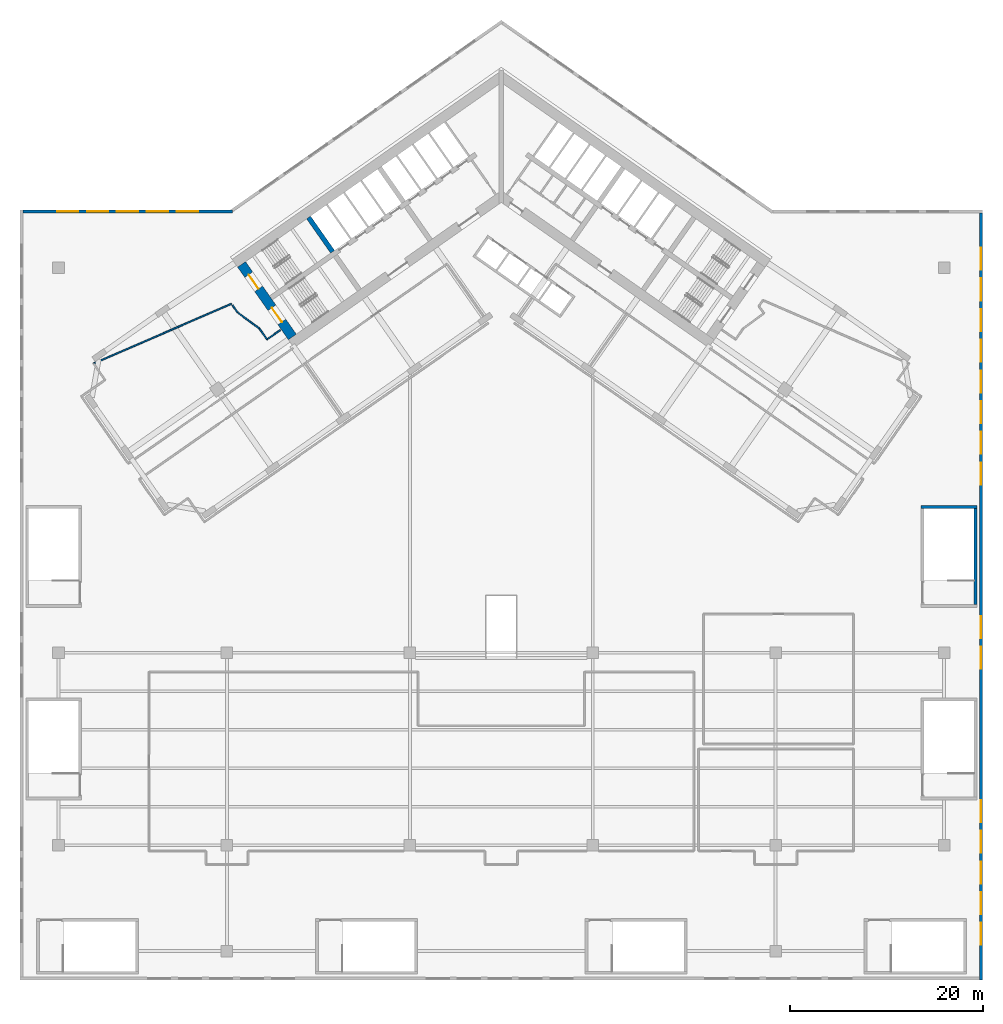
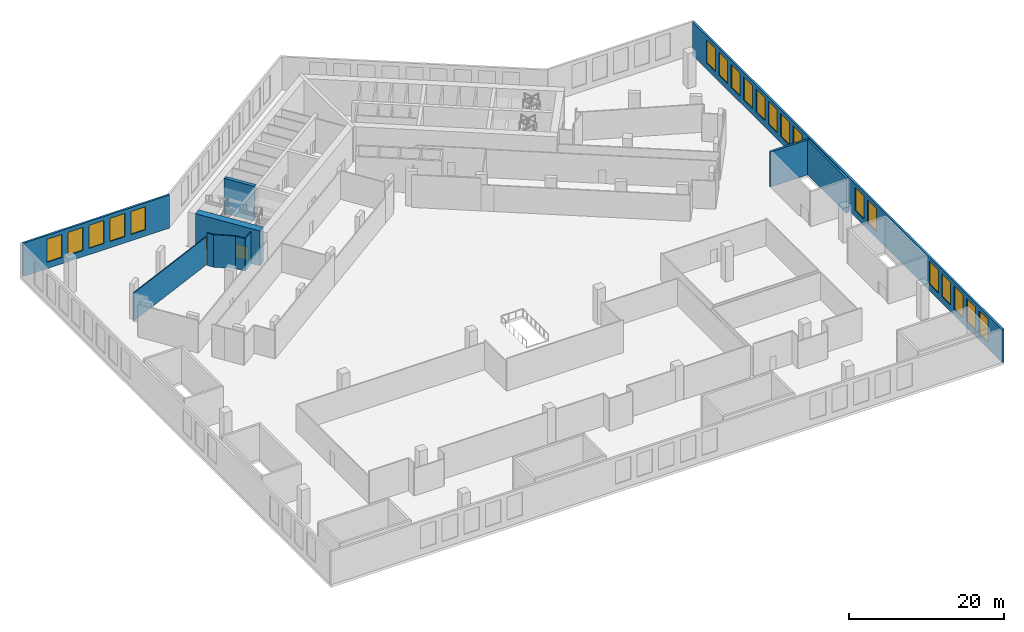
# One storey, part 7 of 15: 20 windows, 11 walls, 2 doors, 22 openings.
"""IFC4 building model written with IfcOpenShell, lengths in metres."""

from ifc_helpers import new_model, si_unit, direction, frame, frame_2d, origin, place, context, subcontext, project, spatial, polyline, rectangle, outline, extrude, material, layer, layer_set, type_object, element, fill, save


model = new_model("IFC4")

# Units and contexts
model_context = context("Model", 3, precision=1e-05, world=origin(), true_north=direction((0.0, 1.0)))
body_context = subcontext(model_context, "Body", "Model", "MODEL_VIEW")
ifc_project = project(units=[si_unit("LENGTHUNIT", "METRE"), si_unit("AREAUNIT", "SQUARE_METRE"), si_unit("VOLUMEUNIT", "CUBIC_METRE"), si_unit("PLANEANGLEUNIT", "RADIAN"), si_unit("MASSUNIT", "GRAM", prefix="KILO")], contexts=[model_context])

# Site, building, storey
site_placement = place(None, origin())
site = spatial("IfcSite", under=ifc_project, at=site_placement, CompositionType="ELEMENT")
building_placement = place(site_placement, origin())
building = spatial("IfcBuilding", under=site, at=building_placement, Name="Tel Ilan Convention Tower", CompositionType="ELEMENT")
storey_placement = place(building_placement, frame((0.0, 0.0, 43.0)))
storey = spatial("IfcBuildingStorey", under=building, at=storey_placement, Name="L06", CompositionType="ELEMENT", Elevation=43.0)

# Wall, openings, doors
ifc_material_1 = material(Name="Concrete C60/75", Category="concrete")
ifc_layer_1 = layer(ifc_material_1, 1.0)
ifc_layer_set_1 = layer_set([ifc_layer_1], Name="Core Shear Wall 1000 mm C60/75")
wall_type_1 = type_object("IfcWallType", Name="Core Shear Wall 1000 mm C60/75", PredefinedType="SHEAR", material=ifc_layer_set_1)
wall_1_placement = place(storey_placement, frame((-21.70751953125, -15.19970703125, 0.0), z_axis=(0.0, 0.0, 1.0), x_axis=(-0.573576324356, 0.819152122709, 0.0)))
wall_1 = element("IfcWall", 1, at=wall_1_placement, inside=storey, type_object=wall_type_1, Name="L06 core wall W-end", PredefinedType="SHEAR", context=body_context, shape_type="SweptSolid", body=[
    extrude(outline(polyline([(0.0, 0.5), (0.0, -0.5), (9.199951171875, -0.5), (9.199951171875, 0.5), (0.0, 0.5)])), origin(), (0.0, 0.0, 1.0), 5.5),
])
opening_1_placement = place(wall_1_placement, frame((6.10009765625, 0.0, 0.0)))
opening_1 = element("IfcOpeningElement", 2, at=opening_1_placement, cuts=wall_1, Name="Opening SD0901", PredefinedType="OPENING", context=body_context, shape_type="SweptSolid", body=[
    extrude(rectangle(XDim=1.800048828125, YDim=2.10009765625, at=frame_2d((0.89990234375, 1.050048828125))), frame((0.0, 0.510009765625, 0.0), z_axis=(0.0, -1.0, 0.0), x_axis=(1.0, 0.0, 0.0)), (0.0, 0.0, 1.0), 1.02001953125),
])
opening_2_placement = place(wall_1_placement, frame((1.89990234375, 0.0, 0.0)))
opening_2 = element("IfcOpeningElement", 3, at=opening_2_placement, cuts=wall_1, Name="Opening SD0902", PredefinedType="OPENING", context=body_context, shape_type="SweptSolid", body=[
    extrude(rectangle(XDim=1.800048828125, YDim=2.10009765625, at=frame_2d((0.89990234375, 1.050048828125))), frame((0.0, 0.510009765625, 0.0), z_axis=(0.0, -1.0, 0.0), x_axis=(1.0, 0.0, 0.0)), (0.0, 0.0, 1.0), 1.02001953125),
])
ifc_material_2 = material(Name="Galvanised Steel Door Leaf", Category="steel")
door_type = type_object("IfcDoorType", Name="Stair Fire Door 1800 x 2100 FD60S", OperationType="NOTDEFINED", PredefinedType="DOOR", material=ifc_material_2)
door_1_placement = place(opening_1_placement, origin())
door_1 = element("IfcDoor", 4, at=door_1_placement, inside=storey, type_object=door_type, Name="Stair S1 door", OperationType="DOUBLE_DOOR_SINGLE_SWING", OverallHeight=2.10009765625, OverallWidth=1.800048828125, PredefinedType="DOOR", context=body_context, shape_type="SweptSolid", body=[
    extrude(rectangle(XDim=1.800048828125, YDim=2.10009765625, at=frame_2d((0.89990234375, 1.050048828125))), frame((0.0, 0.02490234375, 0.0), z_axis=(0.0, -1.0, 0.0), x_axis=(1.0, 0.0, 0.0)), (0.0, 0.0, 1.0), 0.050048828125),
])
fill(opening_1, door_1)
door_2_placement = place(opening_2_placement, origin())
door_2 = element("IfcDoor", 5, at=door_2_placement, inside=storey, type_object=door_type, Name="Stair S2 door", OperationType="DOUBLE_DOOR_SINGLE_SWING", OverallHeight=2.10009765625, OverallWidth=1.800048828125, PredefinedType="DOOR", context=body_context, shape_type="SweptSolid", body=[
    extrude(rectangle(XDim=1.800048828125, YDim=2.10009765625, at=frame_2d((0.89990234375, 1.050048828125))), frame((0.0, 0.02490234375, 0.0), z_axis=(0.0, -1.0, 0.0), x_axis=(1.0, 0.0, 0.0)), (0.0, 0.0, 1.0), 0.050048828125),
])
fill(opening_2, door_2)

# Walls
ifc_material_3 = material(Name="Concrete C60/75", Category="concrete")
ifc_layer_2 = layer(ifc_material_3, 0.5)
ifc_layer_set_2 = layer_set([ifc_layer_2], Name="Core Shear Wall 500 mm C60/75")
wall_type_2 = type_object("IfcWallType", Name="Core Shear Wall 500 mm C60/75", PredefinedType="SHEAR", material=ifc_layer_set_2)
wall_2_placement = place(storey_placement, frame((-17.526611328125, -6.3515625, 0.0), z_axis=(0.0, 0.0, 1.0), x_axis=(-0.573530143085, 0.819184457233, 0.0)))
element("IfcWall", 6, at=wall_2_placement, inside=storey, type_object=wall_type_2, Name="L06 core wall W-cross2-2", PredefinedType="SHEAR", context=body_context, shape_type="SweptSolid", body=[
    extrude(outline(polyline([(4.35009765625, -0.249755859375), (4.35009765625, 0.250244140625), (0.0, 0.25), (0.0, -0.25), (4.35009765625, -0.249755859375)])), origin(), (0.0, 0.0, 1.0), 5.5),
])
ifc_material_4 = material(Name="Plasterboard on Steel Studs", Category="steel")
ifc_layer_3 = layer(ifc_material_4, 0.14990234375)
ifc_layer_set_3 = layer_set([ifc_layer_3], Name="Fire-rated Partition 150 EI 60")
wall_type_3 = type_object("IfcWallType", Name="Fire-rated Partition 150 EI 60", PredefinedType="PARTITIONING", material=ifc_layer_set_3)
wall_3_placement = place(storey_placement, frame((-28.0263671875, -11.751220703125, 0.0), z_axis=(0.0, 0.0, 1.0), x_axis=(-0.91753357696, -0.397658314577, 0.0)))
element("IfcWall", 7, at=wall_3_placement, inside=storey, type_object=wall_type_3, Name="Partition 069", PredefinedType="PARTITIONING", context=body_context, shape_type="SweptSolid", body=[
    extrude(rectangle(XDim=15.621337890625, YDim=0.14990234375, at=frame_2d((7.810546875, 0.0))), origin(), (0.0, 0.0, 1.0), 4.39990234375),
])
wall_4_placement = place(storey_placement, frame((-22.961181640625, -14.490478515625, 0.0), z_axis=(0.0, 0.0, 1.0), x_axis=(-0.819109000826, -0.573637903879, 0.0)))
element("IfcWall", 8, at=wall_4_placement, inside=storey, type_object=wall_type_3, Name="Partition 070", PredefinedType="PARTITIONING", context=body_context, shape_type="SweptSolid", body=[
    extrude(rectangle(XDim=1.679931640625, YDim=0.14990234375, at=frame_2d((0.83984375, 0.0))), origin(), (0.0, 0.0, 1.0), 5.10009765625),
])
wall_5_placement = place(storey_placement, frame((-24.337158203125, -15.4541015625, 0.0), z_axis=(0.0, 0.0, 1.0), x_axis=(-0.573571252353, 0.819155674139, 0.0)))
element("IfcWall", 9, at=wall_5_placement, inside=storey, type_object=wall_type_3, Name="Partition 071", PredefinedType="PARTITIONING", context=body_context, shape_type="SweptSolid", body=[
    extrude(rectangle(XDim=1.35400390625, YDim=0.14990234375, at=frame_2d((0.677001953125, 0.0))), origin(), (0.0, 0.0, 1.0), 5.10009765625),
])
wall_6_placement = place(storey_placement, frame((-25.11376953125, -14.344970703125, 0.0), z_axis=(0.0, 0.0, 1.0), x_axis=(-0.803169525988, 0.59575054555, 0.0)))
element("IfcWall", 10, at=wall_6_placement, inside=storey, type_object=wall_type_3, Name="Partition 072", PredefinedType="PARTITIONING", context=body_context, shape_type="SweptSolid", body=[
    extrude(rectangle(XDim=2.84619140625, YDim=0.14990234375, at=frame_2d((1.423095703125, 0.0))), origin(), (0.0, 0.0, 1.0), 5.10009765625),
])
wall_7_placement = place(storey_placement, frame((-27.399658203125, -12.6494140625, 0.0), z_axis=(0.0, 0.0, 1.0), x_axis=(-0.573713979357, 0.819055718428, 0.0)))
element("IfcWall", 11, at=wall_7_placement, inside=storey, type_object=wall_type_3, Name="Partition 073", PredefinedType="PARTITIONING", context=body_context, shape_type="SweptSolid", body=[
    extrude(rectangle(XDim=0.91162109375, YDim=0.14990234375, at=frame_2d((0.455810546875, 0.0))), origin(), (0.0, 0.0, 1.0), 5.10009765625),
])

# Wall, openings, windows
ifc_material_5 = material(Name="Bronze aluminium cladding panel on insulated steel frame", Category="steel")
ifc_layer_4 = layer(ifc_material_5, 0.300048828125)
ifc_layer_set_4 = layer_set([ifc_layer_4], Name="PODIUM CLADDING WALL 300")
wall_type_4 = type_object("IfcWallType", Name="PODIUM CLADDING WALL 300", PredefinedType="SOLIDWALL", material=ifc_layer_set_4)
wall_8_placement = place(storey_placement, frame((-49.699951171875, -2.14990234375, 0.0), z_axis=(0.0, 0.0, 1.0), x_axis=(1.0, 0.0, 0.0)))
wall_8 = element("IfcWall", 12, at=wall_8_placement, inside=storey, type_object=wall_type_4, Name="Podium cladding wall", PredefinedType="SOLIDWALL", context=body_context, shape_type="SweptSolid", body=[
    extrude(rectangle(XDim=21.760986328125, YDim=0.300048828125, at=frame_2d((10.88037109375, 0.0))), origin(), (0.0, 0.0, 1.0), 5.219970703125),
])
opening_3_placement = place(wall_8_placement, frame((3.558837890625, 0.0, 1.0)))
opening_3 = element("IfcOpeningElement", 13, at=opening_3_placement, cuts=wall_8, Name="Opening W-09.031", PredefinedType="OPENING", context=body_context, shape_type="SweptSolid", body=[
    extrude(rectangle(XDim=2.208740234375, YDim=3.6201171875, at=frame_2d((1.1044921875, 1.81005859375))), frame((0.0, 0.159912109375, 0.0), z_axis=(0.0, -1.0, 0.0), x_axis=(1.0, 0.0, 0.0)), (0.0, 0.0, 1.0), 0.320068359375),
])
opening_4_placement = place(wall_8_placement, frame((6.66748046875, 0.0, 1.0)))
opening_4 = element("IfcOpeningElement", 14, at=opening_4_placement, cuts=wall_8, Name="Opening W-09.032", PredefinedType="OPENING", context=body_context, shape_type="SweptSolid", body=[
    extrude(rectangle(XDim=2.208740234375, YDim=3.6201171875, at=frame_2d((1.1044921875, 1.81005859375))), frame((0.0, 0.159912109375, 0.0), z_axis=(0.0, -1.0, 0.0), x_axis=(1.0, 0.0, 0.0)), (0.0, 0.0, 1.0), 0.320068359375),
])
opening_5_placement = place(wall_8_placement, frame((9.776123046875, 0.0, 1.0)))
opening_5 = element("IfcOpeningElement", 15, at=opening_5_placement, cuts=wall_8, Name="Opening W-09.033", PredefinedType="OPENING", context=body_context, shape_type="SweptSolid", body=[
    extrude(rectangle(XDim=2.208740234375, YDim=3.6201171875, at=frame_2d((1.1044921875, 1.81005859375))), frame((0.0, 0.159912109375, 0.0), z_axis=(0.0, -1.0, 0.0), x_axis=(1.0, 0.0, 0.0)), (0.0, 0.0, 1.0), 0.320068359375),
])
opening_6_placement = place(wall_8_placement, frame((12.884765625, 0.0, 1.0)))
opening_6 = element("IfcOpeningElement", 16, at=opening_6_placement, cuts=wall_8, Name="Opening W-09.034", PredefinedType="OPENING", context=body_context, shape_type="SweptSolid", body=[
    extrude(rectangle(XDim=2.208740234375, YDim=3.6201171875, at=frame_2d((1.1044921875, 1.81005859375))), frame((0.0, 0.159912109375, 0.0), z_axis=(0.0, -1.0, 0.0), x_axis=(1.0, 0.0, 0.0)), (0.0, 0.0, 1.0), 0.320068359375),
])
opening_7_placement = place(wall_8_placement, frame((15.99365234375, 0.0, 1.0)))
opening_7 = element("IfcOpeningElement", 17, at=opening_7_placement, cuts=wall_8, Name="Opening W-09.035", PredefinedType="OPENING", context=body_context, shape_type="SweptSolid", body=[
    extrude(rectangle(XDim=2.208740234375, YDim=3.6201171875, at=frame_2d((1.1044921875, 1.81005859375))), frame((0.0, 0.159912109375, 0.0), z_axis=(0.0, -1.0, 0.0), x_axis=(1.0, 0.0, 0.0)), (0.0, 0.0, 1.0), 0.320068359375),
])
ifc_material_6 = material(Name="Aluminium framed glazing, bronze anodised, tinted glass", Category="aluminium")
window_type_1 = type_object("IfcWindowType", Name="PODIUM WINDOW 2209x3620", PartitioningType="SINGLE_PANEL", PredefinedType="WINDOW", material=ifc_material_6)
window_1_placement = place(opening_3_placement, origin())
window_1 = element("IfcWindow", 18, at=window_1_placement, inside=storey, type_object=window_type_1, Name="Podium window", OverallHeight=3.6201171875, OverallWidth=2.208740234375, PartitioningType="SINGLE_PANEL", PredefinedType="WINDOW", context=body_context, shape_type="SweptSolid", body=[
    extrude(rectangle(XDim=2.208740234375, YDim=3.6201171875, at=frame_2d((1.1044921875, 1.81005859375))), frame((0.0, 0.030029296875, 0.0), z_axis=(0.0, -1.0, 0.0), x_axis=(1.0, 0.0, 0.0)), (0.0, 0.0, 1.0), 0.06005859375),
])
fill(opening_3, window_1)
window_2_placement = place(opening_4_placement, origin())
window_2 = element("IfcWindow", 19, at=window_2_placement, inside=storey, type_object=window_type_1, Name="Podium window", OverallHeight=3.6201171875, OverallWidth=2.208740234375, PartitioningType="SINGLE_PANEL", PredefinedType="WINDOW", context=body_context, shape_type="SweptSolid", body=[
    extrude(rectangle(XDim=2.208740234375, YDim=3.6201171875, at=frame_2d((1.1044921875, 1.81005859375))), frame((0.0, 0.030029296875, 0.0), z_axis=(0.0, -1.0, 0.0), x_axis=(1.0, 0.0, 0.0)), (0.0, 0.0, 1.0), 0.06005859375),
])
fill(opening_4, window_2)
window_3_placement = place(opening_5_placement, origin())
window_3 = element("IfcWindow", 20, at=window_3_placement, inside=storey, type_object=window_type_1, Name="Podium window", OverallHeight=3.6201171875, OverallWidth=2.208740234375, PartitioningType="SINGLE_PANEL", PredefinedType="WINDOW", context=body_context, shape_type="SweptSolid", body=[
    extrude(rectangle(XDim=2.208740234375, YDim=3.6201171875, at=frame_2d((1.1044921875, 1.81005859375))), frame((0.0, 0.030029296875, 0.0), z_axis=(0.0, -1.0, 0.0), x_axis=(1.0, 0.0, 0.0)), (0.0, 0.0, 1.0), 0.06005859375),
])
fill(opening_5, window_3)
window_4_placement = place(opening_6_placement, origin())
window_4 = element("IfcWindow", 21, at=window_4_placement, inside=storey, type_object=window_type_1, Name="Podium window", OverallHeight=3.6201171875, OverallWidth=2.208740234375, PartitioningType="SINGLE_PANEL", PredefinedType="WINDOW", context=body_context, shape_type="SweptSolid", body=[
    extrude(rectangle(XDim=2.208740234375, YDim=3.6201171875, at=frame_2d((1.1044921875, 1.81005859375))), frame((0.0, 0.030029296875, 0.0), z_axis=(0.0, -1.0, 0.0), x_axis=(1.0, 0.0, 0.0)), (0.0, 0.0, 1.0), 0.06005859375),
])
fill(opening_6, window_4)
window_5_placement = place(opening_7_placement, origin())
window_5 = element("IfcWindow", 22, at=window_5_placement, inside=storey, type_object=window_type_1, Name="Podium window", OverallHeight=3.6201171875, OverallWidth=2.208740234375, PartitioningType="SINGLE_PANEL", PredefinedType="WINDOW", context=body_context, shape_type="SweptSolid", body=[
    extrude(rectangle(XDim=2.208740234375, YDim=3.6201171875, at=frame_2d((1.1044921875, 1.81005859375))), frame((0.0, 0.030029296875, 0.0), z_axis=(0.0, -1.0, 0.0), x_axis=(1.0, 0.0, 0.0)), (0.0, 0.0, 1.0), 0.06005859375),
])
fill(opening_7, window_5)

wall_9_placement = place(storey_placement, frame((49.85009765625, -2.300048828125, 0.0), z_axis=(0.0, 0.0, 1.0), x_axis=(0.0, -1.0, 0.0)))
wall_9 = element("IfcWall", 23, at=wall_9_placement, inside=storey, type_object=wall_type_4, Name="Podium cladding wall", PredefinedType="SOLIDWALL", context=body_context, shape_type="SweptSolid", body=[
    extrude(rectangle(XDim=79.699951171875, YDim=0.300048828125, at=frame_2d((39.85009765625, 0.0))), origin(), (0.0, 0.0, 1.0), 5.219970703125),
])
opening_8_placement = place(wall_9_placement, frame((3.637939453125, 0.0, 1.0)))
opening_8 = element("IfcOpeningElement", 24, at=opening_8_placement, cuts=wall_9, Name="Opening W-09.059", PredefinedType="OPENING", context=body_context, shape_type="SweptSolid", body=[
    extrude(rectangle(XDim=2.2880859375, YDim=3.6201171875, at=frame_2d((1.14404296875, 1.81005859375))), frame((0.0, 0.159912109375, 0.0), z_axis=(0.0, -1.0, 0.0), x_axis=(1.0, 0.0, 0.0)), (0.0, 0.0, 1.0), 0.320068359375),
])
opening_9_placement = place(wall_9_placement, frame((6.825927734375, 0.0, 1.0)))
opening_9 = element("IfcOpeningElement", 25, at=opening_9_placement, cuts=wall_9, Name="Opening W-09.060", PredefinedType="OPENING", context=body_context, shape_type="SweptSolid", body=[
    extrude(rectangle(XDim=2.2880859375, YDim=3.6201171875, at=frame_2d((1.14404296875, 1.81005859375))), frame((0.0, 0.159912109375, 0.0), z_axis=(0.0, -1.0, 0.0), x_axis=(1.0, 0.0, 0.0)), (0.0, 0.0, 1.0), 0.320068359375),
])
opening_10_placement = place(wall_9_placement, frame((10.013916015625, 0.0, 1.0)))
opening_10 = element("IfcOpeningElement", 26, at=opening_10_placement, cuts=wall_9, Name="Opening W-09.061", PredefinedType="OPENING", context=body_context, shape_type="SweptSolid", body=[
    extrude(rectangle(XDim=2.2880859375, YDim=3.6201171875, at=frame_2d((1.14404296875, 1.81005859375))), frame((0.0, 0.159912109375, 0.0), z_axis=(0.0, -1.0, 0.0), x_axis=(1.0, 0.0, 0.0)), (0.0, 0.0, 1.0), 0.320068359375),
])
opening_11_placement = place(wall_9_placement, frame((13.201904296875, 0.0, 1.0)))
opening_11 = element("IfcOpeningElement", 27, at=opening_11_placement, cuts=wall_9, Name="Opening W-09.062", PredefinedType="OPENING", context=body_context, shape_type="SweptSolid", body=[
    extrude(rectangle(XDim=2.2880859375, YDim=3.6201171875, at=frame_2d((1.14404296875, 1.81005859375))), frame((0.0, 0.159912109375, 0.0), z_axis=(0.0, -1.0, 0.0), x_axis=(1.0, 0.0, 0.0)), (0.0, 0.0, 1.0), 0.320068359375),
])
opening_12_placement = place(wall_9_placement, frame((16.389892578125, 0.0, 1.0)))
opening_12 = element("IfcOpeningElement", 28, at=opening_12_placement, cuts=wall_9, Name="Opening W-09.063", PredefinedType="OPENING", context=body_context, shape_type="SweptSolid", body=[
    extrude(rectangle(XDim=2.2880859375, YDim=3.6201171875, at=frame_2d((1.14404296875, 1.81005859375))), frame((0.0, 0.159912109375, 0.0), z_axis=(0.0, -1.0, 0.0), x_axis=(1.0, 0.0, 0.0)), (0.0, 0.0, 1.0), 0.320068359375),
])
opening_13_placement = place(wall_9_placement, frame((19.577880859375, 0.0, 1.0)))
opening_13 = element("IfcOpeningElement", 29, at=opening_13_placement, cuts=wall_9, Name="Opening W-09.064", PredefinedType="OPENING", context=body_context, shape_type="SweptSolid", body=[
    extrude(rectangle(XDim=2.2880859375, YDim=3.6201171875, at=frame_2d((1.14404296875, 1.81005859375))), frame((0.0, 0.159912109375, 0.0), z_axis=(0.0, -1.0, 0.0), x_axis=(1.0, 0.0, 0.0)), (0.0, 0.0, 1.0), 0.320068359375),
])
opening_14_placement = place(wall_9_placement, frame((22.76611328125, 0.0, 1.0)))
opening_14 = element("IfcOpeningElement", 30, at=opening_14_placement, cuts=wall_9, Name="Opening W-09.065", PredefinedType="OPENING", context=body_context, shape_type="SweptSolid", body=[
    extrude(rectangle(XDim=2.2880859375, YDim=3.6201171875, at=frame_2d((1.14404296875, 1.81005859375))), frame((0.0, 0.159912109375, 0.0), z_axis=(0.0, -1.0, 0.0), x_axis=(1.0, 0.0, 0.0)), (0.0, 0.0, 1.0), 0.320068359375),
])
opening_15_placement = place(wall_9_placement, frame((25.9541015625, 0.0, 1.0)))
opening_15 = element("IfcOpeningElement", 31, at=opening_15_placement, cuts=wall_9, Name="Opening W-09.066", PredefinedType="OPENING", context=body_context, shape_type="SweptSolid", body=[
    extrude(rectangle(XDim=2.2880859375, YDim=3.6201171875, at=frame_2d((1.14404296875, 1.81005859375))), frame((0.0, 0.159912109375, 0.0), z_axis=(0.0, -1.0, 0.0), x_axis=(1.0, 0.0, 0.0)), (0.0, 0.0, 1.0), 0.320068359375),
])
opening_16_placement = place(wall_9_placement, frame((41.89404296875, 0.0, 1.0)))
opening_16 = element("IfcOpeningElement", 32, at=opening_16_placement, cuts=wall_9, Name="Opening W-09.067", PredefinedType="OPENING", context=body_context, shape_type="SweptSolid", body=[
    extrude(rectangle(XDim=2.2880859375, YDim=3.6201171875, at=frame_2d((1.14404296875, 1.81005859375))), frame((0.0, 0.159912109375, 0.0), z_axis=(0.0, -1.0, 0.0), x_axis=(1.0, 0.0, 0.0)), (0.0, 0.0, 1.0), 0.320068359375),
])
opening_17_placement = place(wall_9_placement, frame((45.08203125, 0.0, 1.0)))
opening_17 = element("IfcOpeningElement", 33, at=opening_17_placement, cuts=wall_9, Name="Opening W-09.068", PredefinedType="OPENING", context=body_context, shape_type="SweptSolid", body=[
    extrude(rectangle(XDim=2.2880859375, YDim=3.6201171875, at=frame_2d((1.14404296875, 1.81005859375))), frame((0.0, 0.159912109375, 0.0), z_axis=(0.0, -1.0, 0.0), x_axis=(1.0, 0.0, 0.0)), (0.0, 0.0, 1.0), 0.320068359375),
])
opening_18_placement = place(wall_9_placement, frame((61.02197265625, 0.0, 1.0)))
opening_18 = element("IfcOpeningElement", 34, at=opening_18_placement, cuts=wall_9, Name="Opening W-09.069", PredefinedType="OPENING", context=body_context, shape_type="SweptSolid", body=[
    extrude(rectangle(XDim=2.2880859375, YDim=3.6201171875, at=frame_2d((1.14404296875, 1.81005859375))), frame((0.0, 0.159912109375, 0.0), z_axis=(0.0, -1.0, 0.0), x_axis=(1.0, 0.0, 0.0)), (0.0, 0.0, 1.0), 0.320068359375),
])
opening_19_placement = place(wall_9_placement, frame((64.2099609375, 0.0, 1.0)))
opening_19 = element("IfcOpeningElement", 35, at=opening_19_placement, cuts=wall_9, Name="Opening W-09.070", PredefinedType="OPENING", context=body_context, shape_type="SweptSolid", body=[
    extrude(rectangle(XDim=2.2880859375, YDim=3.6201171875, at=frame_2d((1.14404296875, 1.81005859375))), frame((0.0, 0.159912109375, 0.0), z_axis=(0.0, -1.0, 0.0), x_axis=(1.0, 0.0, 0.0)), (0.0, 0.0, 1.0), 0.320068359375),
])
opening_20_placement = place(wall_9_placement, frame((67.39794921875, 0.0, 1.0)))
opening_20 = element("IfcOpeningElement", 36, at=opening_20_placement, cuts=wall_9, Name="Opening W-09.071", PredefinedType="OPENING", context=body_context, shape_type="SweptSolid", body=[
    extrude(rectangle(XDim=2.2880859375, YDim=3.6201171875, at=frame_2d((1.14404296875, 1.81005859375))), frame((0.0, 0.159912109375, 0.0), z_axis=(0.0, -1.0, 0.0), x_axis=(1.0, 0.0, 0.0)), (0.0, 0.0, 1.0), 0.320068359375),
])
opening_21_placement = place(wall_9_placement, frame((70.5859375, 0.0, 1.0)))
opening_21 = element("IfcOpeningElement", 37, at=opening_21_placement, cuts=wall_9, Name="Opening W-09.072", PredefinedType="OPENING", context=body_context, shape_type="SweptSolid", body=[
    extrude(rectangle(XDim=2.2880859375, YDim=3.6201171875, at=frame_2d((1.14404296875, 1.81005859375))), frame((0.0, 0.159912109375, 0.0), z_axis=(0.0, -1.0, 0.0), x_axis=(1.0, 0.0, 0.0)), (0.0, 0.0, 1.0), 0.320068359375),
])
opening_22_placement = place(wall_9_placement, frame((73.77392578125, 0.0, 1.0)))
opening_22 = element("IfcOpeningElement", 38, at=opening_22_placement, cuts=wall_9, Name="Opening W-09.073", PredefinedType="OPENING", context=body_context, shape_type="SweptSolid", body=[
    extrude(rectangle(XDim=2.2880859375, YDim=3.6201171875, at=frame_2d((1.14404296875, 1.81005859375))), frame((0.0, 0.159912109375, 0.0), z_axis=(0.0, -1.0, 0.0), x_axis=(1.0, 0.0, 0.0)), (0.0, 0.0, 1.0), 0.320068359375),
])
ifc_material_7 = material(Name="Aluminium framed glazing, bronze anodised, tinted glass", Category="aluminium")
window_type_2 = type_object("IfcWindowType", Name="PODIUM WINDOW 2288x3620", PartitioningType="SINGLE_PANEL", PredefinedType="WINDOW", material=ifc_material_7)
window_6_placement = place(opening_8_placement, origin())
window_6 = element("IfcWindow", 39, at=window_6_placement, inside=storey, type_object=window_type_2, Name="Podium window", OverallHeight=3.6201171875, OverallWidth=2.2880859375, PartitioningType="SINGLE_PANEL", PredefinedType="WINDOW", context=body_context, shape_type="SweptSolid", body=[
    extrude(rectangle(XDim=2.2880859375, YDim=3.6201171875, at=frame_2d((1.14404296875, 1.81005859375))), frame((0.0, 0.030029296875, 0.0), z_axis=(0.0, -1.0, 0.0), x_axis=(1.0, 0.0, 0.0)), (0.0, 0.0, 1.0), 0.06005859375),
])
fill(opening_8, window_6)
window_7_placement = place(opening_9_placement, origin())
window_7 = element("IfcWindow", 40, at=window_7_placement, inside=storey, type_object=window_type_2, Name="Podium window", OverallHeight=3.6201171875, OverallWidth=2.2880859375, PartitioningType="SINGLE_PANEL", PredefinedType="WINDOW", context=body_context, shape_type="SweptSolid", body=[
    extrude(rectangle(XDim=2.2880859375, YDim=3.6201171875, at=frame_2d((1.14404296875, 1.81005859375))), frame((0.0, 0.030029296875, 0.0), z_axis=(0.0, -1.0, 0.0), x_axis=(1.0, 0.0, 0.0)), (0.0, 0.0, 1.0), 0.06005859375),
])
fill(opening_9, window_7)
window_8_placement = place(opening_10_placement, origin())
window_8 = element("IfcWindow", 41, at=window_8_placement, inside=storey, type_object=window_type_2, Name="Podium window", OverallHeight=3.6201171875, OverallWidth=2.2880859375, PartitioningType="SINGLE_PANEL", PredefinedType="WINDOW", context=body_context, shape_type="SweptSolid", body=[
    extrude(rectangle(XDim=2.2880859375, YDim=3.6201171875, at=frame_2d((1.14404296875, 1.81005859375))), frame((0.0, 0.030029296875, 0.0), z_axis=(0.0, -1.0, 0.0), x_axis=(1.0, 0.0, 0.0)), (0.0, 0.0, 1.0), 0.06005859375),
])
fill(opening_10, window_8)
window_9_placement = place(opening_11_placement, origin())
window_9 = element("IfcWindow", 42, at=window_9_placement, inside=storey, type_object=window_type_2, Name="Podium window", OverallHeight=3.6201171875, OverallWidth=2.2880859375, PartitioningType="SINGLE_PANEL", PredefinedType="WINDOW", context=body_context, shape_type="SweptSolid", body=[
    extrude(rectangle(XDim=2.2880859375, YDim=3.6201171875, at=frame_2d((1.14404296875, 1.81005859375))), frame((0.0, 0.030029296875, 0.0), z_axis=(0.0, -1.0, 0.0), x_axis=(1.0, 0.0, 0.0)), (0.0, 0.0, 1.0), 0.06005859375),
])
fill(opening_11, window_9)
window_10_placement = place(opening_12_placement, origin())
window_10 = element("IfcWindow", 43, at=window_10_placement, inside=storey, type_object=window_type_2, Name="Podium window", OverallHeight=3.6201171875, OverallWidth=2.2880859375, PartitioningType="SINGLE_PANEL", PredefinedType="WINDOW", context=body_context, shape_type="SweptSolid", body=[
    extrude(rectangle(XDim=2.2880859375, YDim=3.6201171875, at=frame_2d((1.14404296875, 1.81005859375))), frame((0.0, 0.030029296875, 0.0), z_axis=(0.0, -1.0, 0.0), x_axis=(1.0, 0.0, 0.0)), (0.0, 0.0, 1.0), 0.06005859375),
])
fill(opening_12, window_10)
window_11_placement = place(opening_13_placement, origin())
window_11 = element("IfcWindow", 44, at=window_11_placement, inside=storey, type_object=window_type_2, Name="Podium window", OverallHeight=3.6201171875, OverallWidth=2.2880859375, PartitioningType="SINGLE_PANEL", PredefinedType="WINDOW", context=body_context, shape_type="SweptSolid", body=[
    extrude(rectangle(XDim=2.2880859375, YDim=3.6201171875, at=frame_2d((1.14404296875, 1.81005859375))), frame((0.0, 0.030029296875, 0.0), z_axis=(0.0, -1.0, 0.0), x_axis=(1.0, 0.0, 0.0)), (0.0, 0.0, 1.0), 0.06005859375),
])
fill(opening_13, window_11)
window_12_placement = place(opening_14_placement, origin())
window_12 = element("IfcWindow", 45, at=window_12_placement, inside=storey, type_object=window_type_2, Name="Podium window", OverallHeight=3.6201171875, OverallWidth=2.2880859375, PartitioningType="SINGLE_PANEL", PredefinedType="WINDOW", context=body_context, shape_type="SweptSolid", body=[
    extrude(rectangle(XDim=2.2880859375, YDim=3.6201171875, at=frame_2d((1.14404296875, 1.81005859375))), frame((0.0, 0.030029296875, 0.0), z_axis=(0.0, -1.0, 0.0), x_axis=(1.0, 0.0, 0.0)), (0.0, 0.0, 1.0), 0.06005859375),
])
fill(opening_14, window_12)
window_13_placement = place(opening_15_placement, origin())
window_13 = element("IfcWindow", 46, at=window_13_placement, inside=storey, type_object=window_type_2, Name="Podium window", OverallHeight=3.6201171875, OverallWidth=2.2880859375, PartitioningType="SINGLE_PANEL", PredefinedType="WINDOW", context=body_context, shape_type="SweptSolid", body=[
    extrude(rectangle(XDim=2.2880859375, YDim=3.6201171875, at=frame_2d((1.14404296875, 1.81005859375))), frame((0.0, 0.030029296875, 0.0), z_axis=(0.0, -1.0, 0.0), x_axis=(1.0, 0.0, 0.0)), (0.0, 0.0, 1.0), 0.06005859375),
])
fill(opening_15, window_13)
window_14_placement = place(opening_16_placement, origin())
window_14 = element("IfcWindow", 47, at=window_14_placement, inside=storey, type_object=window_type_2, Name="Podium window", OverallHeight=3.6201171875, OverallWidth=2.2880859375, PartitioningType="SINGLE_PANEL", PredefinedType="WINDOW", context=body_context, shape_type="SweptSolid", body=[
    extrude(rectangle(XDim=2.2880859375, YDim=3.6201171875, at=frame_2d((1.14404296875, 1.81005859375))), frame((0.0, 0.030029296875, 0.0), z_axis=(0.0, -1.0, 0.0), x_axis=(1.0, 0.0, 0.0)), (0.0, 0.0, 1.0), 0.06005859375),
])
fill(opening_16, window_14)
window_15_placement = place(opening_17_placement, origin())
window_15 = element("IfcWindow", 48, at=window_15_placement, inside=storey, type_object=window_type_2, Name="Podium window", OverallHeight=3.6201171875, OverallWidth=2.2880859375, PartitioningType="SINGLE_PANEL", PredefinedType="WINDOW", context=body_context, shape_type="SweptSolid", body=[
    extrude(rectangle(XDim=2.2880859375, YDim=3.6201171875, at=frame_2d((1.14404296875, 1.81005859375))), frame((0.0, 0.030029296875, 0.0), z_axis=(0.0, -1.0, 0.0), x_axis=(1.0, 0.0, 0.0)), (0.0, 0.0, 1.0), 0.06005859375),
])
fill(opening_17, window_15)
window_16_placement = place(opening_18_placement, origin())
window_16 = element("IfcWindow", 49, at=window_16_placement, inside=storey, type_object=window_type_2, Name="Podium window", OverallHeight=3.6201171875, OverallWidth=2.2880859375, PartitioningType="SINGLE_PANEL", PredefinedType="WINDOW", context=body_context, shape_type="SweptSolid", body=[
    extrude(rectangle(XDim=2.2880859375, YDim=3.6201171875, at=frame_2d((1.14404296875, 1.81005859375))), frame((0.0, 0.030029296875, 0.0), z_axis=(0.0, -1.0, 0.0), x_axis=(1.0, 0.0, 0.0)), (0.0, 0.0, 1.0), 0.06005859375),
])
fill(opening_18, window_16)
window_17_placement = place(opening_19_placement, origin())
window_17 = element("IfcWindow", 50, at=window_17_placement, inside=storey, type_object=window_type_2, Name="Podium window", OverallHeight=3.6201171875, OverallWidth=2.2880859375, PartitioningType="SINGLE_PANEL", PredefinedType="WINDOW", context=body_context, shape_type="SweptSolid", body=[
    extrude(rectangle(XDim=2.2880859375, YDim=3.6201171875, at=frame_2d((1.14404296875, 1.81005859375))), frame((0.0, 0.030029296875, 0.0), z_axis=(0.0, -1.0, 0.0), x_axis=(1.0, 0.0, 0.0)), (0.0, 0.0, 1.0), 0.06005859375),
])
fill(opening_19, window_17)
window_18_placement = place(opening_20_placement, origin())
window_18 = element("IfcWindow", 51, at=window_18_placement, inside=storey, type_object=window_type_2, Name="Podium window", OverallHeight=3.6201171875, OverallWidth=2.2880859375, PartitioningType="SINGLE_PANEL", PredefinedType="WINDOW", context=body_context, shape_type="SweptSolid", body=[
    extrude(rectangle(XDim=2.2880859375, YDim=3.6201171875, at=frame_2d((1.14404296875, 1.81005859375))), frame((0.0, 0.030029296875, 0.0), z_axis=(0.0, -1.0, 0.0), x_axis=(1.0, 0.0, 0.0)), (0.0, 0.0, 1.0), 0.06005859375),
])
fill(opening_20, window_18)
window_19_placement = place(opening_21_placement, origin())
window_19 = element("IfcWindow", 52, at=window_19_placement, inside=storey, type_object=window_type_2, Name="Podium window", OverallHeight=3.6201171875, OverallWidth=2.2880859375, PartitioningType="SINGLE_PANEL", PredefinedType="WINDOW", context=body_context, shape_type="SweptSolid", body=[
    extrude(rectangle(XDim=2.2880859375, YDim=3.6201171875, at=frame_2d((1.14404296875, 1.81005859375))), frame((0.0, 0.030029296875, 0.0), z_axis=(0.0, -1.0, 0.0), x_axis=(1.0, 0.0, 0.0)), (0.0, 0.0, 1.0), 0.06005859375),
])
fill(opening_21, window_19)
window_20_placement = place(opening_22_placement, origin())
window_20 = element("IfcWindow", 53, at=window_20_placement, inside=storey, type_object=window_type_2, Name="Podium window", OverallHeight=3.6201171875, OverallWidth=2.2880859375, PartitioningType="SINGLE_PANEL", PredefinedType="WINDOW", context=body_context, shape_type="SweptSolid", body=[
    extrude(rectangle(XDim=2.2880859375, YDim=3.6201171875, at=frame_2d((1.14404296875, 1.81005859375))), frame((0.0, 0.030029296875, 0.0), z_axis=(0.0, -1.0, 0.0), x_axis=(1.0, 0.0, 0.0)), (0.0, 0.0, 1.0), 0.06005859375),
])
fill(opening_22, window_20)

# Walls
ifc_material_8 = material(Name="Concrete C40/50", Category="concrete")
ifc_layer_5 = layer(ifc_material_8, 0.300048828125)
ifc_layer_set_5 = layer_set([ifc_layer_5], Name="Stair Enclosure Wall 300 mm C40/50")
wall_type_5 = type_object("IfcWallType", Name="Stair Enclosure Wall 300 mm C40/50", PredefinedType="SOLIDWALL", material=ifc_layer_set_5)
wall_10_placement = place(storey_placement, frame((43.60009765625, -32.85009765625, 0.0), z_axis=(0.0, 0.0, 1.0), x_axis=(1.0, 0.0, 0.0)))
element("IfcWall", 54, at=wall_10_placement, inside=storey, type_object=wall_type_5, Name="P8 stair enclosure wall N L06", PredefinedType="SOLIDWALL", context=body_context, shape_type="SweptSolid", body=[
    extrude(rectangle(XDim=5.7998046875, YDim=0.300048828125, at=frame_2d((2.89990234375, 0.0))), origin(), (0.0, 0.0, 1.0), 5.5),
])
wall_11_placement = place(storey_placement, frame((49.25, -43.0, 0.0), z_axis=(0.0, 0.0, 1.0), x_axis=(0.0, 1.0, 0.0)))
element("IfcWall", 55, at=wall_11_placement, inside=storey, type_object=wall_type_5, Name="P8 stair enclosure wall E L06", PredefinedType="SOLIDWALL", context=body_context, shape_type="SweptSolid", body=[
    extrude(rectangle(XDim=10.0, YDim=0.300048828125, at=frame_2d((5.0, 0.0))), origin(), (0.0, 0.0, 1.0), 5.5),
])

save(model, "model.ifc")
